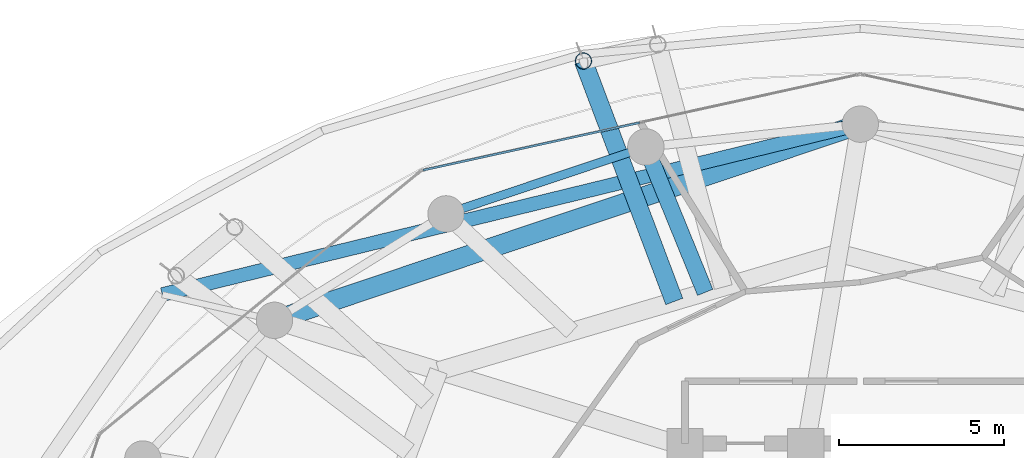
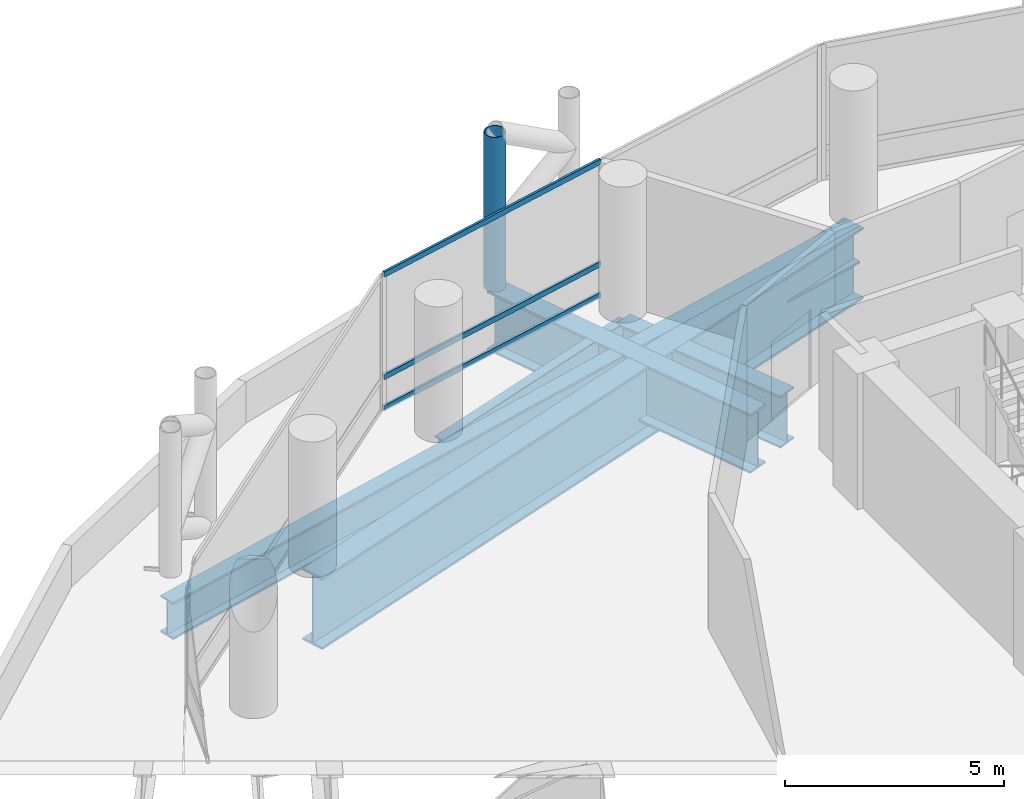
# One storey, part 21 of 37: 5 beams, 4 members, 1 element without a shape of its own.
"""IFC4 building model written with IfcOpenShell, lengths in metres."""

from ifc_helpers import new_model, si_unit, direction, frame, origin, origin_2d, place, context, subcontext, project, spatial, hollow_rectangle, hollow_circle, i_section, extrude, material, layer, layer_set, material_profile, profile_set, type_object, element, aggregate, save


model = new_model("IFC4")

# Units and contexts
model_context = context("Model", 3, precision=1e-05, world=origin(), true_north=direction((0.0, 1.0)))
body_context = subcontext(model_context, "Body", "Model", "MODEL_VIEW")
ifc_project = project(units=[si_unit("LENGTHUNIT", "METRE"), si_unit("AREAUNIT", "SQUARE_METRE"), si_unit("VOLUMEUNIT", "CUBIC_METRE"), si_unit("PLANEANGLEUNIT", "RADIAN"), si_unit("MASSUNIT", "GRAM", prefix="KILO")], contexts=[model_context])

# Site, building, storey
site_placement = place(None, origin())
site = spatial("IfcSite", under=ifc_project, at=site_placement, CompositionType="ELEMENT")
building_placement = place(site_placement, origin())
building = spatial("IfcBuilding", under=site, at=building_placement, Name="Nuhasar Tower", CompositionType="ELEMENT")
storey_placement = place(building_placement, frame((0.0, 0.0, 21.0)))
storey = spatial("IfcBuildingStorey", under=building, at=storey_placement, Name="L04", CompositionType="ELEMENT", Elevation=21.0)

# Beams
ifc_material_1 = material(Name="Steel S355", Category="steel")
ifc_material_profile_1 = material_profile(ifc_material_1, i_section(OverallWidth=0.256103515625, OverallDepth=0.693115234375, WebThickness=0.014404296875, FlangeThickness=0.023681640625, at=origin_2d()), Name="W27X114")
ifc_profile_set_1 = profile_set([ifc_material_profile_1], Name="Steel S355")
beam_type_1 = type_object("IfcBeamType", Name="BM-RING-W27X114", PredefinedType="SPANDREL", material=ifc_profile_set_1)
beam_1_placement = place(storey_placement, frame((32.51708984375, 46.360107421875, -0.60693359375), z_axis=(-0.948249435708, -0.317526388949, 0.0), x_axis=(0.317526388949, -0.948249435708, 0.0)))
element("IfcBeam", 1, at=beam_1_placement, inside=storey, type_object=beam_type_1, Name="L04 Perimeter Ring Spandrel 08", PredefinedType="SPANDREL", context=body_context, shape_type="SweptSolid", body=[
    extrude(i_section(OverallWidth=0.256103515625, OverallDepth=0.693115234375, WebThickness=0.014404296875, FlangeThickness=0.023681640625, at=origin_2d()), origin(), (0.0, 0.0, 1.0), 6.371826171875),
])
ifc_material_2 = material(Name="Steel S460", Category="steel")
ifc_material_profile_2 = material_profile(ifc_material_2, i_section(OverallWidth=0.5, OverallDepth=1.449951171875, WebThickness=0.028076171875, FlangeThickness=0.050048828125, at=origin_2d()), Name="PG1450X500")
ifc_profile_set_2 = profile_set([ifc_material_profile_2], Name="Steel S460")
beam_type_2 = type_object("IfcBeamType", Name="BM-XFER-PG1450", PredefinedType="USERDEFINED", material=ifc_profile_set_2)
beam_2_placement = place(storey_placement, frame((34.31103515625, 41.964111328125, -0.985107421875), z_axis=(-0.377835828377, 0.925872608297, 0.0), x_axis=(-0.925872608297, -0.377835828377, 0.0)))
element("IfcBeam", 2, at=beam_2_placement, inside=storey, type_object=beam_type_2, Name="L04 Inner Column Transfer Girder 08", ObjectType="GIRDER", PredefinedType="USERDEFINED", context=body_context, shape_type="SweptSolid", body=[
    extrude(i_section(OverallWidth=0.5, OverallDepth=1.449951171875, WebThickness=0.028076171875, FlangeThickness=0.050048828125, at=origin_2d()), origin(), (0.0, 0.0, 1.0), 4.748046875),
])
ifc_material_profile_3 = material_profile(ifc_material_2, i_section(OverallWidth=0.550048828125, OverallDepth=1.64990234375, WebThickness=0.031982421875, FlangeThickness=0.054931640625, at=origin_2d()), Name="PG1650X550")
ifc_profile_set_3 = profile_set([ifc_material_profile_3], Name="Steel S460")
beam_type_3 = type_object("IfcBeamType", Name="BM-XFER-PG1650", PredefinedType="USERDEFINED", material=ifc_profile_set_3)
beam_3_placement = place(storey_placement, frame((33.3759765625, 41.68896484375, -1.0849609375), z_axis=(-0.353318712351, 0.935503013091, 0.0), x_axis=(-0.935503013091, -0.353318712351, 0.0)))
element("IfcBeam", 3, at=beam_3_placement, inside=storey, type_object=beam_type_3, Name="L04 Exoskeleton Base Transfer Girder 08", ObjectType="GIRDER", PredefinedType="USERDEFINED", context=body_context, shape_type="SweptSolid", body=[
    extrude(i_section(OverallWidth=0.550048828125, OverallDepth=1.64990234375, WebThickness=0.031982421875, FlangeThickness=0.054931640625, at=origin_2d()), origin(), (0.0, 0.0, 1.0), 7.772216796875),
])
ifc_material_profile_4 = material_profile(ifc_material_2, i_section(OverallWidth=0.60009765625, OverallDepth=2.0, WebThickness=0.035888671875, FlangeThickness=0.06005859375, at=origin_2d()), Name="PG2000X600")
ifc_profile_set_4 = profile_set([ifc_material_profile_4], Name="Steel S460")
beam_type_4 = type_object("IfcBeamType", Name="BM-XFER-PG2000", PredefinedType="USERDEFINED", material=ifc_profile_set_4)
beam_4_placement = place(storey_placement, frame((39.0, 47.050048828125, -1.260009765625), z_axis=(-0.948251107254, -0.317521397062, 0.0), x_axis=(0.317521397062, -0.948251107254, 0.0)))
element("IfcBeam", 4, at=beam_4_placement, inside=storey, type_object=beam_type_4, Name="L04 Podium-to-Tower Transfer Chord 06", ObjectType="GIRDER", PredefinedType="USERDEFINED", context=body_context, shape_type="SweptSolid", body=[
    extrude(i_section(OverallWidth=0.60009765625, OverallDepth=2.0, WebThickness=0.035888671875, FlangeThickness=0.06005859375, at=origin_2d()), origin(), (0.0, 0.0, 1.0), 18.679443359375),
])
ifc_material_profile_5 = material_profile(ifc_material_2, i_section(OverallWidth=0.419921875, OverallDepth=1.0400390625, WebThickness=0.031005859375, FlangeThickness=0.055908203125, at=origin_2d()), Name="W40X397")
ifc_profile_set_5 = profile_set([ifc_material_profile_5], Name="Steel S460")
beam_type_5 = type_object("IfcBeamType", Name="BM-XFER-W40X397", PredefinedType="USERDEFINED", material=ifc_profile_set_5)
beam_5_placement = place(storey_placement, frame((39.0, 47.050048828125, -0.780029296875), z_axis=(-0.971466874575, -0.23717527612, 0.0), x_axis=(0.23717527612, -0.971466874575, 0.0)))
element("IfcBeam", 5, at=beam_5_placement, inside=storey, type_object=beam_type_5, Name="L04 Podium Ring Girder 06", ObjectType="GIRDER", PredefinedType="USERDEFINED", context=body_context, shape_type="SweptSolid", body=[
    extrude(i_section(OverallWidth=0.419921875, OverallDepth=1.0400390625, WebThickness=0.031005859375, FlangeThickness=0.055908203125, at=origin_2d()), origin(), (0.0, 0.0, 1.0), 21.726806640625),
])

# Curtain wall, members
ifc_material_3 = material(Name="Aluminium 6063-T6", Category="aluminium")
ifc_layer = layer(ifc_material_3, 0.199951171875)
ifc_layer_set = layer_set([ifc_layer], Name="Aluminium 6063-T6")
curtain_wall_type = type_object("IfcCurtainWallType", Name="CW-Z1-OFF", PredefinedType="NOTDEFINED", material=ifc_layer_set)
curtain_wall_placement = place(storey_placement, origin())
curtain_wall = element("IfcCurtainWall", 6, at=curtain_wall_placement, inside=storey, type_object=curtain_wall_type, Name="L04 Unitised Curtain Wall 04", PredefinedType="NOTDEFINED")
ifc_material_profile_6 = material_profile(ifc_material_3, hollow_rectangle(XDim=0.06494140625, YDim=0.14990234375, WallThickness=0.00439453125, at=origin_2d()), Name="CWT-2")
ifc_profile_set_6 = profile_set([ifc_material_profile_6], Name="Aluminium 6063-T6")
member_type_1 = type_object("IfcMemberType", Name="CW-TRN-S2", PredefinedType="USERDEFINED", material=ifc_profile_set_6)
member_1_placement = place(storey_placement, frame((32.328369140625, 47.095458984375, 0.032470703125), z_axis=(-0.976749553792, -0.214383556196, 0.0), x_axis=(0.214383556196, -0.976749553792, 0.0)))
member_1 = element("IfcMember", 7, at=member_1_placement, type_object=member_type_1, Name="CW-Z1 transom 2.1", ObjectType="TRANSOM", PredefinedType="USERDEFINED", context=body_context, shape_type="SweptSolid", body=[
    extrude(hollow_rectangle(XDim=0.06494140625, YDim=0.14990234375, WallThickness=0.00439453125, at=origin_2d()), origin(), (0.0, 0.0, 1.0), 6.70068359375),
])
member_2_placement = place(storey_placement, frame((32.328369140625, 47.095458984375, 0.89990234375), z_axis=(-0.976749553792, -0.214383556196, 0.0), x_axis=(0.214383556196, -0.976749553792, 0.0)))
member_2 = element("IfcMember", 8, at=member_2_placement, type_object=member_type_1, Name="CW-Z1 transom 2.2", ObjectType="TRANSOM", PredefinedType="USERDEFINED", context=body_context, shape_type="SweptSolid", body=[
    extrude(hollow_rectangle(XDim=0.06494140625, YDim=0.14990234375, WallThickness=0.00439453125, at=origin_2d()), origin(), (0.0, 0.0, 1.0), 6.70068359375),
])
member_3_placement = place(storey_placement, frame((32.328369140625, 47.095458984375, 3.757568359375), z_axis=(-0.976749553792, -0.214383556196, 0.0), x_axis=(0.214383556196, -0.976749553792, 0.0)))
member_3 = element("IfcMember", 9, at=member_3_placement, type_object=member_type_1, Name="CW-Z1 transom 2.3", ObjectType="TRANSOM", PredefinedType="USERDEFINED", context=body_context, shape_type="SweptSolid", body=[
    extrude(hollow_rectangle(XDim=0.06494140625, YDim=0.14990234375, WallThickness=0.00439453125, at=origin_2d()), origin(), (0.0, 0.0, 1.0), 6.70068359375),
])
aggregate(curtain_wall, [member_1, member_2, member_3])

# Member
ifc_material_profile_7 = material_profile(ifc_material_2, hollow_circle(Radius=0.25390625, WallThickness=0.025390625, at=origin_2d()), Name="HSS508X25.4")
ifc_profile_set_7 = profile_set([ifc_material_profile_7], Name="Steel S460")
member_type_2 = type_object("IfcMemberType", Name="EXO-BRONZE-508", PredefinedType="BRACE", material=ifc_profile_set_7)
member_4_placement = place(storey_placement, frame((30.6298828125, 48.9599609375, -0.260009765625), z_axis=(0.0, 0.0, 1.0), x_axis=(1.0, 0.0, 0.0)))
element("IfcMember", 10, at=member_4_placement, inside=storey, type_object=member_type_2, Name="L04 Exoskeleton Chord Column EC-04B", PredefinedType="BRACE", context=body_context, shape_type="SweptSolid", body=[
    extrude(hollow_circle(Radius=0.25390625, WallThickness=0.025390625, at=origin_2d()), origin(), (0.0, 0.0, 1.0), 4.31005859375),
])

save(model, "model.ifc")
